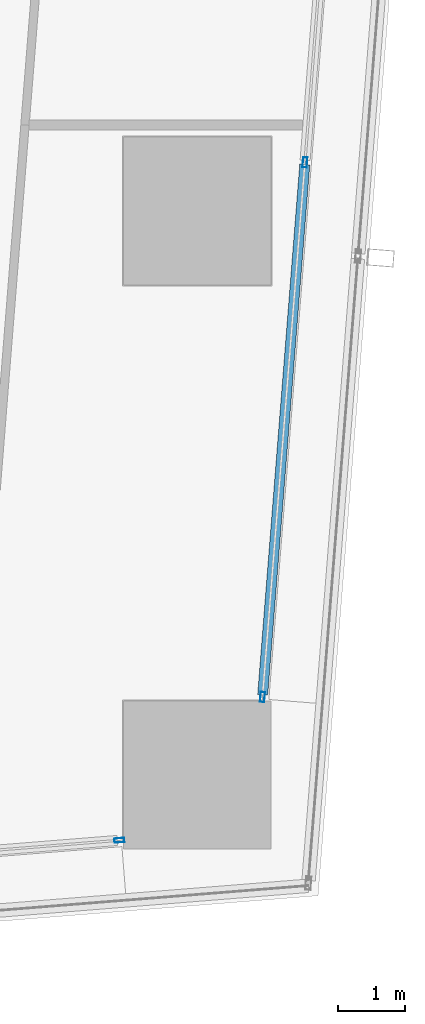
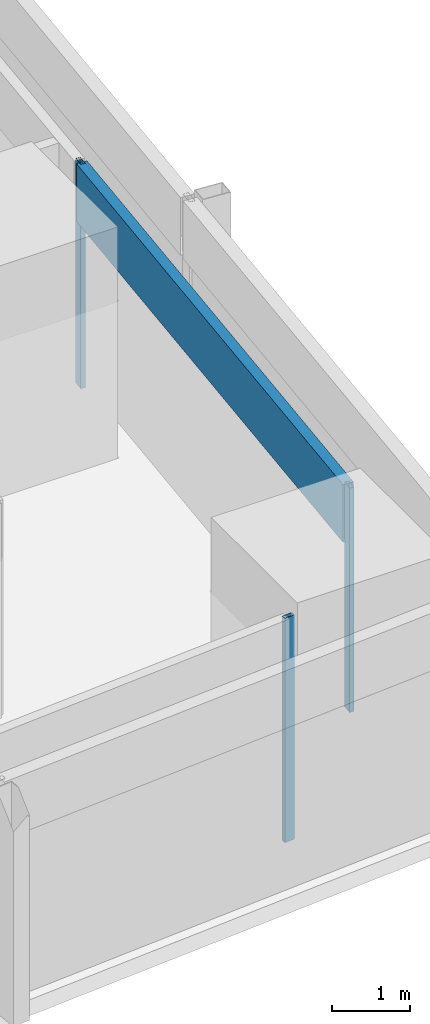
# One storey, part 12 of 45: 4 members, 2 elements without a shape of their own.
"""IFC4 building model written with IfcOpenShell, lengths in metres."""

from ifc_helpers import new_model, si_unit, direction, frame, origin, origin_2d, place, context, subcontext, project, spatial, hollow_rectangle, extrude, material, material_profile, profile_set, type_object, element, aggregate, save


model = new_model("IFC4")

# Units and contexts
model_context = context("Model", 3, precision=1e-05, world=origin(), true_north=direction((0.0, 1.0)))
body_context = subcontext(model_context, "Body", "Model", "MODEL_VIEW")
ifc_project = project(units=[si_unit("LENGTHUNIT", "METRE"), si_unit("AREAUNIT", "SQUARE_METRE"), si_unit("VOLUMEUNIT", "CUBIC_METRE"), si_unit("PLANEANGLEUNIT", "RADIAN"), si_unit("MASSUNIT", "GRAM", prefix="KILO")], contexts=[model_context])

# Site, building, storey
site_placement = place(None, origin())
site = spatial("IfcSite", under=ifc_project, at=site_placement, CompositionType="ELEMENT")
building_placement = place(site_placement, origin())
building = spatial("IfcBuilding", under=site, at=building_placement, Name="Rekha Terrace Tower", CompositionType="ELEMENT")
storey_placement = place(building_placement, frame((0.0, 0.0, 44.14990234375)))
storey = spatial("IfcBuildingStorey", under=building, at=storey_placement, Name="L10", CompositionType="ELEMENT", Elevation=44.14990234375)

# Curtain wall, member
ifc_material_1 = material(Name="Aluminium framing", Category="aluminium")
curtain_wall_type = type_object("IfcCurtainWallType", Name="CW1 double skin inner glazing", PredefinedType="USERDEFINED", material=ifc_material_1)
curtain_wall_1_placement = place(storey_placement, origin())
curtain_wall_1 = element("IfcCurtainWall", 1, at=curtain_wall_1_placement, inside=storey, type_object=curtain_wall_type, Name="CW1 double skin inner glazing", ObjectType="DOUBLE SKIN INNER GLAZING", PredefinedType="USERDEFINED")
ifc_material_2 = material(Name="Aluminium mullion section", Category="aluminium")
ifc_material_profile_1 = material_profile(ifc_material_2, hollow_rectangle(XDim=0.06494140625, YDim=0.14990234375, WallThickness=0.00390625, at=origin_2d()), Name="AL RHS 65x150")
ifc_profile_set_1 = profile_set([ifc_material_profile_1], Name="Aluminium mullion section")
member_type_1 = type_object("IfcMemberType", Name="CW1 mullion RHS 65 x 150", PredefinedType="MULLION", material=ifc_profile_set_1)
member_1_placement = place(storey_placement, frame((66.0400390625, 7.42626953125, 0.0), z_axis=(0.0, 0.0, 1.0), x_axis=(-0.079872204468, 0.996805111821, 0.0)))
member_1 = element("IfcMember", 2, at=member_1_placement, type_object=member_type_1, Name="CW1 mullion 3", PredefinedType="MULLION", context=body_context, shape_type="SweptSolid", body=[
    extrude(hollow_rectangle(XDim=0.06494140625, YDim=0.14990234375, WallThickness=0.00390625, at=origin_2d()), origin(), (0.0, 0.0, 1.0), 3.5),
])
aggregate(curtain_wall_1, [member_1])

# Curtain wall, members
curtain_wall_2_placement = place(storey_placement, origin())
curtain_wall_2 = element("IfcCurtainWall", 3, at=curtain_wall_2_placement, inside=storey, type_object=curtain_wall_type, Name="CW1 double skin inner glazing", ObjectType="DOUBLE SKIN INNER GLAZING", PredefinedType="USERDEFINED")
member_2_placement = place(storey_placement, frame((68.171630859375, 9.559814453125, 0.0), z_axis=(0.0, 0.0, 1.0), x_axis=(-0.996865392576, 0.079116301, 0.0)))
member_2 = element("IfcMember", 4, at=member_2_placement, type_object=member_type_1, Name="CW1 mullion 1", PredefinedType="MULLION", context=body_context, shape_type="SweptSolid", body=[
    extrude(hollow_rectangle(XDim=0.06494140625, YDim=0.14990234375, WallThickness=0.00390625, at=origin_2d()), origin(), (0.0, 0.0, 1.0), 3.5),
])
member_3_placement = place(storey_placement, frame((68.8037109375, 17.5234375, 0.0), z_axis=(0.0, 0.0, 1.0), x_axis=(-0.996865392576, 0.079116301, 0.0)))
member_3 = element("IfcMember", 5, at=member_3_placement, type_object=member_type_1, Name="CW1 mullion 2", PredefinedType="MULLION", context=body_context, shape_type="SweptSolid", body=[
    extrude(hollow_rectangle(XDim=0.06494140625, YDim=0.14990234375, WallThickness=0.00390625, at=origin_2d()), origin(), (0.0, 0.0, 1.0), 3.5),
])
ifc_material_3 = material(Name="Insulated aluminium spandrel box", Category="aluminium")
ifc_material_profile_2 = material_profile(ifc_material_3, hollow_rectangle(XDim=0.14990234375, YDim=0.89990234375, WallThickness=0.0029296875, at=origin_2d()), Name="AL SPANDREL BOX 150x900")
ifc_profile_set_2 = profile_set([ifc_material_profile_2], Name="Insulated aluminium spandrel box")
member_type_2 = type_object("IfcMemberType", Name="CW1 spandrel transom 150 x 900", PredefinedType="USERDEFINED", material=ifc_profile_set_2)
member_4_placement = place(storey_placement, frame((68.174072265625, 9.59228515625, 3.050048828125), z_axis=(0.079125535375, 0.996864659646, 0.0), x_axis=(-0.996864659646, 0.079125535375, 0.0)))
member_4 = element("IfcMember", 6, at=member_4_placement, type_object=member_type_2, Name="CW1 spandrel transom 1", ObjectType="TRANSOM", PredefinedType="USERDEFINED", context=body_context, shape_type="SweptSolid", body=[
    extrude(hollow_rectangle(XDim=0.14990234375, YDim=0.89990234375, WallThickness=0.0029296875, at=origin_2d()), origin(), (0.0, 0.0, 1.0), 7.923583984375),
])
aggregate(curtain_wall_2, [member_2, member_3, member_4])

save(model, "model.ifc")
